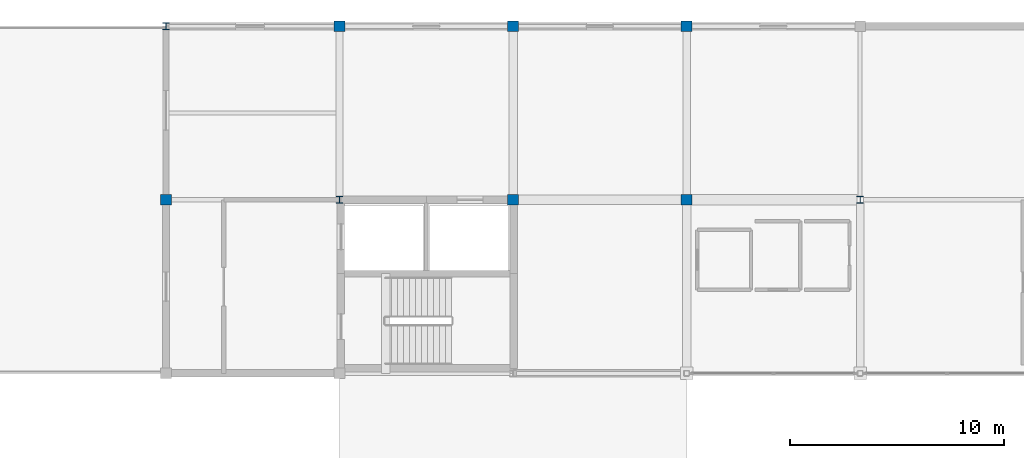
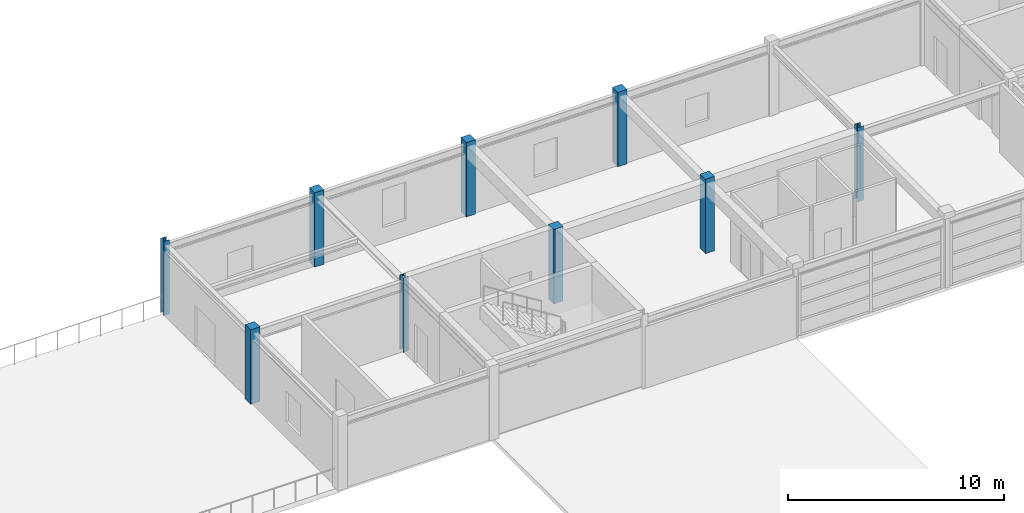
# One storey, part 6 of 26: 9 columns.
"""IFC4 building model written with IfcOpenShell, lengths in metres."""

import ifcopenshell
import ifcopenshell.guid

model = None  # the IFC model being written
_history = None  # IfcOwnerHistory: only IFC2X3 demands one
_inside = {}  # id of a spatial element -> (the spatial element, [elements in it])
_under = {}  # id of a project, library or spatial element -> (it, [spatial elements below it])
_declared = {}  # id of a project -> (the project, [libraries it declares])
_typed = {}  # id of a type object -> (the type object, [elements of that type])
_made_of = {}  # id of a material, layer set ... -> (it, [elements and type objects made of it])


def new_model(schema):
    """Start an empty IFC model of exactly this schema.

    Asked for "IFC4X3", IfcOpenShell would pick the latest addendum, in which some entities
    have other attributes; the version numbers below select the first issue.
    IFC2X3 requires an IfcOwnerHistory on every rooted entity: one is made here for all.
    """
    global model, _history
    if schema == "IFC4X3":
        model = ifcopenshell.file(schema_version=(4, 3, 0, 0))
    else:
        model = ifcopenshell.file(schema=schema)
    _inside.clear()
    _under.clear()
    _declared.clear()
    _typed.clear()
    _made_of.clear()
    _history = None
    if model.schema == "IFC2X3":
        org = make("IfcOrganization", Name="unknown")
        user = make(
            "IfcPersonAndOrganization",
            ThePerson=make("IfcPerson", FamilyName="unknown"),
            TheOrganization=org,
        )
        app = make(
            "IfcApplication",
            ApplicationDeveloper=org,
            Version="unknown",
            ApplicationFullName="unknown",
            ApplicationIdentifier="unknown",
        )
        _history = make(
            "IfcOwnerHistory",
            OwningUser=user,
            OwningApplication=app,
            ChangeAction="ADDED",
            CreationDate=0,
        )
    return model


def make(cls, **values):
    """One entity of the class cls with the attributes given. An attribute that is None is left unset."""
    return model.create_entity(
        cls, **{name: value for name, value in values.items() if value is not None}
    )


def rooted(cls, **values):
    """An entity with a GlobalId (a new one), such as an element, a storey or a relation."""
    return make(cls, GlobalId=ifcopenshell.guid.new(), OwnerHistory=_history, **values)


def si_unit(unit_type, name, prefix=None):
    """IfcSIUnit, for example si_unit("LENGTHUNIT", "METRE", prefix="MILLI")."""
    return make("IfcSIUnit", UnitType=unit_type, Prefix=prefix, Name=name)


def assignment(units):
    """IfcUnitAssignment: the units of a project."""
    return None if units is None else make("IfcUnitAssignment", Units=units)


def point(xyz):
    """IfcCartesianPoint."""
    return None if xyz is None else make("IfcCartesianPoint", Coordinates=xyz)


def direction(xyz):
    """IfcDirection."""
    return None if xyz is None else make("IfcDirection", DirectionRatios=xyz)


def frame(location, z_axis=None, x_axis=None):
    """IfcAxis2Placement3D, a coordinate frame: its origin and axes. An axis left out is left unset."""
    return make(
        "IfcAxis2Placement3D",
        Location=point(location),
        Axis=direction(z_axis),
        RefDirection=direction(x_axis),
    )


def frame_2d(location, x_axis=None):
    """IfcAxis2Placement2D, a coordinate frame in the plane: its origin and x axis."""
    return make(
        "IfcAxis2Placement2D", Location=point(location), RefDirection=direction(x_axis)
    )


def origin():
    """The frame at (0, 0, 0) with its axes left unset."""
    return frame((0.0, 0.0, 0.0))


def origin_2d():
    """The frame at (0, 0) in the plane with its x axis left unset."""
    return frame_2d((0.0, 0.0))


def place(relative_to, where):
    """IfcLocalPlacement: puts the frame where relative to a parent placement (None: the world)."""
    return make(
        "IfcLocalPlacement", PlacementRelTo=relative_to, RelativePlacement=where
    )


def context(
    kind, dimensions, precision=None, world=None, true_north=None, identifier=None
):
    """IfcGeometricRepresentationContext, for example the 3D "Model" context."""
    return make(
        "IfcGeometricRepresentationContext",
        ContextIdentifier=identifier,
        ContextType=kind,
        CoordinateSpaceDimension=dimensions,
        Precision=precision,
        WorldCoordinateSystem=world,
        TrueNorth=true_north,
    )


def subcontext(parent, identifier, kind, view, scale=None):
    """IfcGeometricRepresentationSubContext, for example "Body" below "Model"."""
    return make(
        "IfcGeometricRepresentationSubContext",
        ContextIdentifier=identifier,
        ContextType=kind,
        ParentContext=parent,
        TargetScale=scale,
        TargetView=view,
    )


def project(units=None, contexts=None):
    """IfcProject with its units and contexts."""
    return rooted(
        "IfcProject",
        Name="project",
        RepresentationContexts=contexts,
        UnitsInContext=assignment(units),
    )


def spatial(cls, under=None, at=None, **own):
    """A site, building, storey or space (cls), placed at a placement, below another one or the project."""
    s = rooted(cls, ObjectPlacement=at, **own)
    if under is not None:
        _under.setdefault(under.id(), (under, []))[1].append(s)
    return s


def profile(cls, at=None, kind="AREA", **sizes):
    """A parametric profile (cls). Its sizes go by their IFC names, for example OverallWidth=200.0."""
    return make(cls, ProfileType=kind, Position=at, **sizes)


def rectangle(**sizes):
    """IfcRectangleProfileDef."""
    return profile("IfcRectangleProfileDef", **sizes)


def i_section(**sizes):
    """IfcIShapeProfileDef."""
    return profile("IfcIShapeProfileDef", **sizes)


def extrude(swept, where, along, depth):
    """IfcExtrudedAreaSolid: the profile swept, set in the frame where, extruded along a direction by depth."""
    return make(
        "IfcExtrudedAreaSolid",
        SweptArea=swept,
        Position=where,
        ExtrudedDirection=direction(along),
        Depth=depth,
    )


def shape(context_of_items, identifier, shape_type, items):
    """IfcShapeRepresentation: the items that make up one representation, for example the "Body"."""
    return make(
        "IfcShapeRepresentation",
        ContextOfItems=context_of_items,
        RepresentationIdentifier=identifier,
        RepresentationType=shape_type,
        Items=items,
    )


def material(Name=None, Category=None):
    """IfcMaterial."""
    return make("IfcMaterial", Name=Name, Category=Category)


def material_profile(
    of_material, cross_section, Name=None, Category=None, Priority=None
):
    """IfcMaterialProfile: a cross section and its material."""
    return make(
        "IfcMaterialProfile",
        Name=Name,
        Material=of_material,
        Profile=cross_section,
        Priority=Priority,
        Category=Category,
    )


def profile_set(profiles, Name=None, composite=None):
    """IfcMaterialProfileSet."""
    return make(
        "IfcMaterialProfileSet",
        Name=Name,
        MaterialProfiles=profiles,
        CompositeProfile=composite,
    )


def made_of(thing, what):
    """Note that an element or type object is made of a material, layer set ...; save() writes the relation."""
    if what is not None:
        _made_of.setdefault(what.id(), (what, []))[1].append(thing)
    return thing


def type_object(cls, material=None, **own):
    """A type object (cls), such as IfcWallType, which elements share."""
    return made_of(rooted(cls, **own), material)


def element(
    cls,
    number,
    at=None,
    inside=None,
    cuts=None,
    type_object=None,
    material=None,
    context=None,
    identifier="Body",
    shape_type=None,
    held_by="IfcProductDefinitionShape",
    body=None,
    shapes=None,
    **own,
):
    """One element of the class cls, such as IfcWall. Its Tag is "e" and its number.

    at: its placement. inside: the storey or other place that contains it. cuts: it is an
    opening in that element (IfcRelVoidsElement). A single representation is given by context,
    identifier, shape_type and body (its items); several are given by shapes. held_by: the class
    of the entity that holds the representations. save() writes the other relations.
    """
    e = rooted(cls, Tag="e%d" % number, ObjectPlacement=at, **own)
    if body is not None:
        shapes = [shape(context, identifier, shape_type, body)]
    if shapes is not None:
        e.Representation = make(held_by, Representations=shapes)
    if inside is not None:
        _inside.setdefault(inside.id(), (inside, []))[1].append(e)
    if cuts is not None:
        rooted(
            "IfcRelVoidsElement", RelatingBuildingElement=cuts, RelatedOpeningElement=e
        )
    if type_object is not None:
        _typed.setdefault(type_object.id(), (type_object, []))[1].append(e)
    return made_of(e, material)


def aggregate(whole, parts):
    """IfcRelAggregates: a whole, such as a stair, and the parts it consists of."""
    return rooted("IfcRelAggregates", RelatingObject=whole, RelatedObjects=parts)


def save(model, path):
    """Write the relations noted so far, then the file.

    IfcRelAggregates (storeys below a building ...), IfcRelContainedInSpatialStructure (elements
    in a storey), IfcRelDefinesByType, IfcRelAssociatesMaterial and IfcRelDeclares: one each for
    every whole, place, type object, material and project.
    """
    for whole, parts in _under.values():
        aggregate(whole, parts)
    for where, things in _inside.values():
        rooted(
            "IfcRelContainedInSpatialStructure",
            RelatedElements=things,
            RelatingStructure=where,
        )
    for kind, things in _typed.values():
        rooted("IfcRelDefinesByType", RelatedObjects=things, RelatingType=kind)
    for what, things in _made_of.values():
        rooted("IfcRelAssociatesMaterial", RelatedObjects=things, RelatingMaterial=what)
    for by, libraries in _declared.values():
        rooted("IfcRelDeclares", RelatingContext=by, RelatedDefinitions=libraries)
    model.write(path)


model = new_model("IFC4")

# Units and contexts
model_context = context("Model", 3, precision=1e-05, world=origin(), true_north=direction((0.0, 1.0)))
body_context = subcontext(model_context, "Body", "Model", "MODEL_VIEW")
ifc_project = project(units=[si_unit("LENGTHUNIT", "METRE"), si_unit("AREAUNIT", "SQUARE_METRE"), si_unit("VOLUMEUNIT", "CUBIC_METRE"), si_unit("PLANEANGLEUNIT", "RADIAN"), si_unit("MASSUNIT", "GRAM", prefix="KILO")], contexts=[model_context])

# Site, building, storey
site_placement = place(None, origin())
site = spatial("IfcSite", under=ifc_project, at=site_placement, CompositionType="ELEMENT")
building_placement = place(site_placement, origin())
building = spatial("IfcBuilding", under=site, at=building_placement, Name="Parian Resonance Hall", CompositionType="ELEMENT")
storey_placement = place(building_placement, frame((0.0, 0.0, 19.199951171875)))
storey = spatial("IfcBuildingStorey", under=building, at=storey_placement, Name="L04", CompositionType="ELEMENT", Elevation=19.199951171875)

# Columns
ifc_material_1 = material(Name="Concrete C40/50", Category="concrete")
ifc_material_profile_1 = material_profile(ifc_material_1, rectangle(XDim=0.5, YDim=0.5, at=origin_2d()), Name="RC-COL-500x500")
ifc_profile_set_1 = profile_set([ifc_material_profile_1], Name="Concrete C40/50")
column_type_1 = type_object("IfcColumnType", Name="COL-RC500", PredefinedType="COLUMN", material=ifc_profile_set_1)
for number, where, z_axis, x_axis, name in (
    (1, (48.60009765625, 81.0, 0.0), (0.0, 0.0, 1.0), (1.0, 0.0, 0.0), "Column G07-11 L04"),
    (2, (56.699951171875, 89.10009765625, 0.0), (0.0, 0.0, 1.0), (1.0, 0.0, 0.0), "Column G08-12 L04"),
    (3, (64.800048828125, 81.0, 0.0), (0.0, 0.0, 1.0), (1.0, 0.0, 0.0), "Column G09-11 L04"),
    (4, (64.800048828125, 89.10009765625, 0.0), (0.0, 0.0, 1.0), (1.0, 0.0, 0.0), "Column G09-12 L04"),
    (5, (72.89990234375, 81.0, 0.0), (0.0, 0.0, 1.0), (1.0, 0.0, 0.0), "Column G10-11 L04"),
    (6, (72.89990234375, 89.10009765625, 0.0), (0.0, 0.0, 1.0), (1.0, 0.0, 0.0), "Column G10-12 L04"),
):
    element("IfcColumn", number, at=place(storey_placement, frame(where, z_axis=z_axis, x_axis=x_axis)), inside=storey, type_object=column_type_1, Name=name, PredefinedType="COLUMN", context=body_context, shape_type="SweptSolid", body=[
        extrude(rectangle(XDim=0.5, YDim=0.5, at=origin_2d()), origin(), (0.0, 0.0, 1.0), 4.199951171875),
    ])
ifc_material_2 = material(Name="Steel S355", Category="steel")
ifc_material_profile_2 = material_profile(ifc_material_2, i_section(OverallWidth=0.304931640625, OverallDepth=0.30810546875, WebThickness=0.010009765625, FlangeThickness=0.015380859375, FilletRadius=0.01513671875, at=origin_2d()), Name="W310x97")
ifc_profile_set_2 = profile_set([ifc_material_profile_2], Name="Steel S355")
column_type_2 = type_object("IfcColumnType", Name="COL-W310", PredefinedType="COLUMN", material=ifc_profile_set_2)
for number, where, z_axis, x_axis, name in (
    (7, (48.60009765625, 89.10009765625, 0.0), (0.0, 0.0, 1.0), (1.0, 0.0, 0.0), "Column G07-12 L04"),
    (8, (56.699951171875, 81.0, 0.0), (0.0, 0.0, 1.0), (1.0, 0.0, 0.0), "Column G08-11 L04"),
    (9, (81.0, 81.0, 0.0), (0.0, 0.0, 1.0), (1.0, 0.0, 0.0), "Column G11-11 L04"),
):
    element("IfcColumn", number, at=place(storey_placement, frame(where, z_axis=z_axis, x_axis=x_axis)), inside=storey, type_object=column_type_2, Name=name, PredefinedType="COLUMN", context=body_context, shape_type="SweptSolid", body=[
        extrude(i_section(OverallWidth=0.304931640625, OverallDepth=0.30810546875, WebThickness=0.010009765625, FlangeThickness=0.015380859375, FilletRadius=0.01513671875, at=origin_2d()), origin(), (0.0, 0.0, 1.0), 4.199951171875),
    ])

save(model, "model.ifc")
